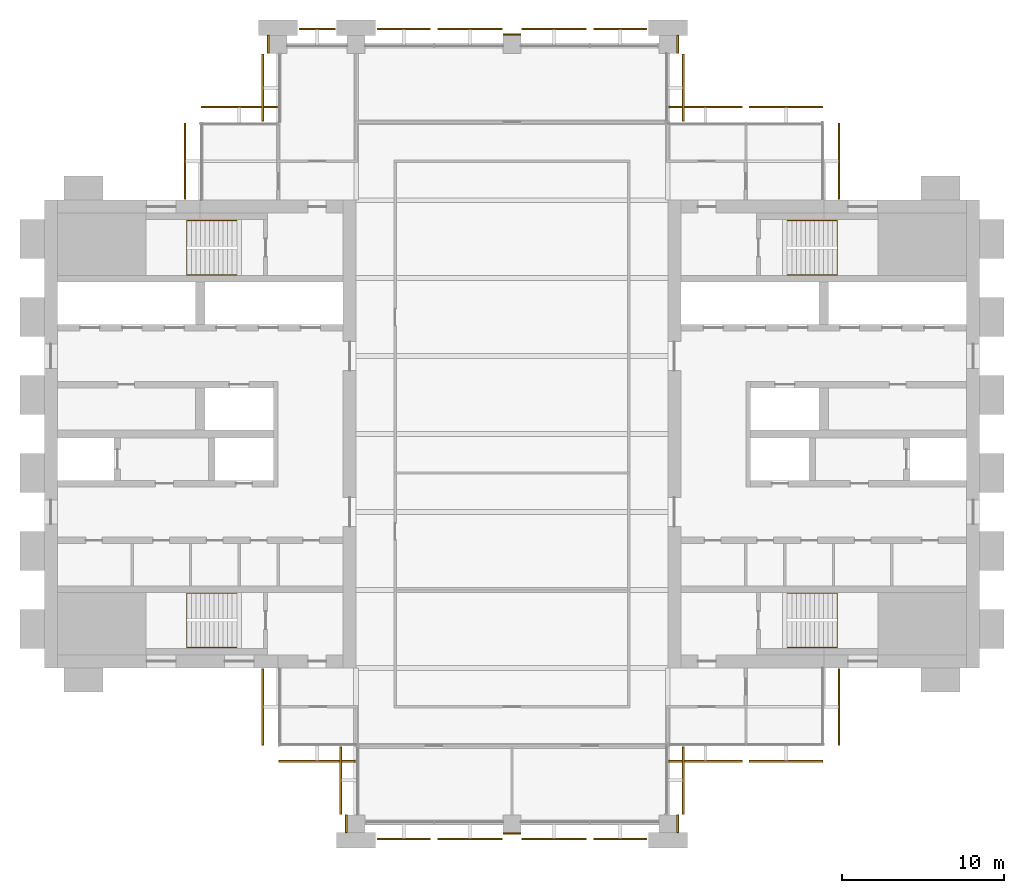
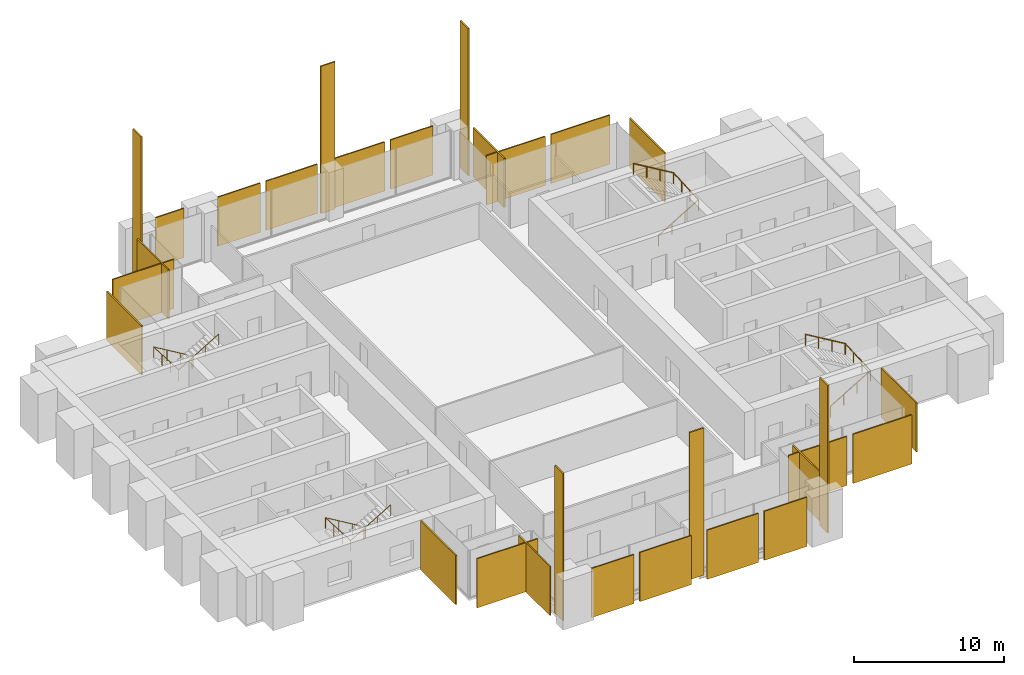
# One storey, part 13 of 13: 29 coverings, 4 railings.
"""IFC4 building model written with IfcOpenShell, lengths in metres."""

from ifc_helpers import new_model, si_unit, direction, frame, origin, origin_2d, place, context, subcontext, project, spatial, polyline, rectangle, circle, outline, extrude, material, layer, layer_set, type_object, element, save


model = new_model("IFC4")

# Units and contexts
model_context = context("Model", 3, precision=1e-05, world=origin(), true_north=direction((0.0, 1.0)))
body_context = subcontext(model_context, "Body", "Model", "MODEL_VIEW")
ifc_project = project(units=[si_unit("LENGTHUNIT", "METRE"), si_unit("AREAUNIT", "SQUARE_METRE"), si_unit("VOLUMEUNIT", "CUBIC_METRE"), si_unit("PLANEANGLEUNIT", "RADIAN"), si_unit("MASSUNIT", "GRAM", prefix="KILO")], contexts=[model_context])

# Site, building, storey
site_placement = place(None, origin())
site = spatial("IfcSite", under=ifc_project, at=site_placement, CompositionType="ELEMENT")
building_placement = place(site_placement, origin())
building = spatial("IfcBuilding", under=site, at=building_placement, Name="Baori Bourse Tower", CompositionType="ELEMENT")
storey_placement = place(building_placement, frame((0.0, 0.0, 213.199951171875)))
storey = spatial("IfcBuildingStorey", under=building, at=storey_placement, Name="L46", CompositionType="ELEMENT", Elevation=213.199951171875)

# Railings
ifc_material_1 = material(Name="Powder-coated steel balustrade", Category="steel")
railing_type = type_object("IfcRailingType", Name="Core stair handrail", PredefinedType="HANDRAIL", material=ifc_material_1)
railing_1_placement = place(storey_placement, frame((11.85009765625, 14.199951171875, 0.166748046875)))
element("IfcRailing", 1, at=railing_1_placement, inside=storey, type_object=railing_type, Name="L46 ST1 stair handrail 1", PredefinedType="HANDRAIL", context=body_context, shape_type="SweptSolid", body=[
    extrude(circle(Radius=0.02392578125, at=origin_2d()), frame((0.0, 0.0, 0.8759765625), z_axis=(-0.859308565015, 0.0, 0.511457515432), x_axis=(0.0, -1.0, 0.0)), (0.0, 0.0, 1.0), 3.58447265625),
    extrude(circle(Radius=0.02392578125, at=origin_2d()), frame((-3.080078125, 0.0, 2.708984375), z_axis=(0.0, -0.998763387249, 0.04971615724), x_axis=(1.0, 0.0, 0.0)), (0.0, 0.0, 1.0), 3.35400390625),
    extrude(circle(Radius=0.02392578125, at=origin_2d()), frame((-3.080078125, -3.349853515625, 2.8759765625), z_axis=(0.859308565015, 0.0, 0.511457515432), x_axis=(0.0, 1.0, 0.0)), (0.0, 0.0, 1.0), 3.58447265625),
    extrude(circle(Radius=0.02099609375, at=origin_2d()), origin(), (0.0, 0.0, 1.0), 0.851806640625),
    extrude(circle(Radius=0.02099609375, at=origin_2d()), frame((-1.026611328125, 0.0, 0.611083984375)), (0.0, 0.0, 1.0), 0.851806640625),
    extrude(circle(Radius=0.02099609375, at=origin_2d()), frame((-2.053466796875, 0.0, 1.22216796875)), (0.0, 0.0, 1.0), 0.851806640625),
    extrude(circle(Radius=0.02099609375, at=origin_2d()), frame((-3.080078125, 0.0, 1.833251953125)), (0.0, 0.0, 1.0), 0.851806640625),
    extrude(circle(Radius=0.02099609375, at=origin_2d()), frame((-3.080078125, -1.11669921875, 1.888916015625)), (0.0, 0.0, 1.0), 0.851806640625),
    extrude(circle(Radius=0.02099609375, at=origin_2d()), frame((-3.080078125, -2.233154296875, 1.9443359375)), (0.0, 0.0, 1.0), 0.851806640625),
    extrude(circle(Radius=0.02099609375, at=origin_2d()), frame((-3.080078125, -3.349853515625, 2.0)), (0.0, 0.0, 1.0), 0.851806640625),
    extrude(circle(Radius=0.02099609375, at=origin_2d()), frame((-2.053466796875, -3.349853515625, 2.611083984375)), (0.0, 0.0, 1.0), 0.851806640625),
    extrude(circle(Radius=0.02099609375, at=origin_2d()), frame((-1.026611328125, -3.349853515625, 3.22216796875)), (0.0, 0.0, 1.0), 0.851806640625),
    extrude(circle(Radius=0.02099609375, at=origin_2d()), frame((0.0, -3.349853515625, 3.833251953125)), (0.0, 0.0, 1.0), 0.851806640625),
])
railing_2_placement = place(storey_placement, frame((11.85009765625, 37.14990234375, 0.166748046875)))
element("IfcRailing", 2, at=railing_2_placement, inside=storey, type_object=railing_type, Name="L46 ST2 stair handrail 1", PredefinedType="HANDRAIL", context=body_context, shape_type="SweptSolid", body=[
    extrude(circle(Radius=0.02392578125, at=origin_2d()), frame((0.0, 0.0, 0.8759765625), z_axis=(-0.859308565015, 0.0, 0.511457515432), x_axis=(0.0, -1.0, 0.0)), (0.0, 0.0, 1.0), 3.58447265625),
    extrude(circle(Radius=0.02392578125, at=origin_2d()), frame((-3.080078125, 0.0, 2.708984375), z_axis=(0.0, -0.998763387249, 0.04971615724), x_axis=(1.0, 0.0, 0.0)), (0.0, 0.0, 1.0), 3.35400390625),
    extrude(circle(Radius=0.02392578125, at=origin_2d()), frame((-3.080078125, -3.349853515625, 2.8759765625), z_axis=(0.859308565015, 0.0, 0.511457515432), x_axis=(0.0, 1.0, 0.0)), (0.0, 0.0, 1.0), 3.58447265625),
    extrude(circle(Radius=0.02099609375, at=origin_2d()), origin(), (0.0, 0.0, 1.0), 0.851806640625),
    extrude(circle(Radius=0.02099609375, at=origin_2d()), frame((-1.026611328125, 0.0, 0.611083984375)), (0.0, 0.0, 1.0), 0.851806640625),
    extrude(circle(Radius=0.02099609375, at=origin_2d()), frame((-2.053466796875, 0.0, 1.22216796875)), (0.0, 0.0, 1.0), 0.851806640625),
    extrude(circle(Radius=0.02099609375, at=origin_2d()), frame((-3.080078125, 0.0, 1.833251953125)), (0.0, 0.0, 1.0), 0.851806640625),
    extrude(circle(Radius=0.02099609375, at=origin_2d()), frame((-3.080078125, -1.11669921875, 1.888916015625)), (0.0, 0.0, 1.0), 0.851806640625),
    extrude(circle(Radius=0.02099609375, at=origin_2d()), frame((-3.080078125, -2.233154296875, 1.9443359375)), (0.0, 0.0, 1.0), 0.851806640625),
    extrude(circle(Radius=0.02099609375, at=origin_2d()), frame((-3.080078125, -3.349853515625, 2.0)), (0.0, 0.0, 1.0), 0.851806640625),
    extrude(circle(Radius=0.02099609375, at=origin_2d()), frame((-2.053466796875, -3.349853515625, 2.611083984375)), (0.0, 0.0, 1.0), 0.851806640625),
    extrude(circle(Radius=0.02099609375, at=origin_2d()), frame((-1.026611328125, -3.349853515625, 3.22216796875)), (0.0, 0.0, 1.0), 0.851806640625),
    extrude(circle(Radius=0.02099609375, at=origin_2d()), frame((0.0, -3.349853515625, 3.833251953125)), (0.0, 0.0, 1.0), 0.851806640625),
])
railing_3_placement = place(storey_placement, frame((45.75, 10.85009765625, 0.166748046875)))
element("IfcRailing", 3, at=railing_3_placement, inside=storey, type_object=railing_type, Name="L46 ST3 stair handrail 1", PredefinedType="HANDRAIL", context=body_context, shape_type="SweptSolid", body=[
    extrude(circle(Radius=0.02392578125, at=origin_2d()), frame((0.0, 0.0, 0.8759765625), z_axis=(0.859308565015, 0.0, 0.511457515432), x_axis=(0.0, 1.0, 0.0)), (0.0, 0.0, 1.0), 3.58447265625),
    extrude(circle(Radius=0.02392578125, at=origin_2d()), frame((3.080078125, 0.0, 2.708984375), z_axis=(0.0, 0.998763387249, 0.04971615724), x_axis=(-1.0, 0.0, 0.0)), (0.0, 0.0, 1.0), 3.35400390625),
    extrude(circle(Radius=0.02392578125, at=origin_2d()), frame((3.080078125, 3.349853515625, 2.8759765625), z_axis=(-0.859308565015, 0.0, 0.511457515432), x_axis=(0.0, -1.0, 0.0)), (0.0, 0.0, 1.0), 3.58447265625),
    extrude(circle(Radius=0.02099609375, at=origin_2d()), origin(), (0.0, 0.0, 1.0), 0.851806640625),
    extrude(circle(Radius=0.02099609375, at=origin_2d()), frame((1.026611328125, 0.0, 0.611083984375)), (0.0, 0.0, 1.0), 0.851806640625),
    extrude(circle(Radius=0.02099609375, at=origin_2d()), frame((2.053466796875, 0.0, 1.22216796875)), (0.0, 0.0, 1.0), 0.851806640625),
    extrude(circle(Radius=0.02099609375, at=origin_2d()), frame((3.080078125, 0.0, 1.833251953125)), (0.0, 0.0, 1.0), 0.851806640625),
    extrude(circle(Radius=0.02099609375, at=origin_2d()), frame((3.080078125, 1.11669921875, 1.888916015625)), (0.0, 0.0, 1.0), 0.851806640625),
    extrude(circle(Radius=0.02099609375, at=origin_2d()), frame((3.080078125, 2.233154296875, 1.9443359375)), (0.0, 0.0, 1.0), 0.851806640625),
    extrude(circle(Radius=0.02099609375, at=origin_2d()), frame((3.080078125, 3.349853515625, 2.0)), (0.0, 0.0, 1.0), 0.851806640625),
    extrude(circle(Radius=0.02099609375, at=origin_2d()), frame((2.053466796875, 3.349853515625, 2.611083984375)), (0.0, 0.0, 1.0), 0.851806640625),
    extrude(circle(Radius=0.02099609375, at=origin_2d()), frame((1.026611328125, 3.349853515625, 3.22216796875)), (0.0, 0.0, 1.0), 0.851806640625),
    extrude(circle(Radius=0.02099609375, at=origin_2d()), frame((0.0, 3.349853515625, 3.833251953125)), (0.0, 0.0, 1.0), 0.851806640625),
])
railing_4_placement = place(storey_placement, frame((45.75, 33.800048828125, 0.166748046875)))
element("IfcRailing", 4, at=railing_4_placement, inside=storey, type_object=railing_type, Name="L46 ST4 stair handrail 1", PredefinedType="HANDRAIL", context=body_context, shape_type="SweptSolid", body=[
    extrude(circle(Radius=0.02392578125, at=origin_2d()), frame((0.0, 0.0, 0.8759765625), z_axis=(0.859308565015, 0.0, 0.511457515432), x_axis=(0.0, 1.0, 0.0)), (0.0, 0.0, 1.0), 3.58447265625),
    extrude(circle(Radius=0.02392578125, at=origin_2d()), frame((3.080078125, 0.0, 2.708984375), z_axis=(0.0, 0.998763387249, 0.04971615724), x_axis=(-1.0, 0.0, 0.0)), (0.0, 0.0, 1.0), 3.35400390625),
    extrude(circle(Radius=0.02392578125, at=origin_2d()), frame((3.080078125, 3.349853515625, 2.8759765625), z_axis=(-0.859308565015, 0.0, 0.511457515432), x_axis=(0.0, -1.0, 0.0)), (0.0, 0.0, 1.0), 3.58447265625),
    extrude(circle(Radius=0.02099609375, at=origin_2d()), origin(), (0.0, 0.0, 1.0), 0.851806640625),
    extrude(circle(Radius=0.02099609375, at=origin_2d()), frame((1.026611328125, 0.0, 0.611083984375)), (0.0, 0.0, 1.0), 0.851806640625),
    extrude(circle(Radius=0.02099609375, at=origin_2d()), frame((2.053466796875, 0.0, 1.22216796875)), (0.0, 0.0, 1.0), 0.851806640625),
    extrude(circle(Radius=0.02099609375, at=origin_2d()), frame((3.080078125, 0.0, 1.833251953125)), (0.0, 0.0, 1.0), 0.851806640625),
    extrude(circle(Radius=0.02099609375, at=origin_2d()), frame((3.080078125, 1.11669921875, 1.888916015625)), (0.0, 0.0, 1.0), 0.851806640625),
    extrude(circle(Radius=0.02099609375, at=origin_2d()), frame((3.080078125, 2.233154296875, 1.9443359375)), (0.0, 0.0, 1.0), 0.851806640625),
    extrude(circle(Radius=0.02099609375, at=origin_2d()), frame((3.080078125, 3.349853515625, 2.0)), (0.0, 0.0, 1.0), 0.851806640625),
    extrude(circle(Radius=0.02099609375, at=origin_2d()), frame((2.053466796875, 3.349853515625, 2.611083984375)), (0.0, 0.0, 1.0), 0.851806640625),
    extrude(circle(Radius=0.02099609375, at=origin_2d()), frame((1.026611328125, 3.349853515625, 3.22216796875)), (0.0, 0.0, 1.0), 0.851806640625),
    extrude(circle(Radius=0.02099609375, at=origin_2d()), frame((0.0, 3.349853515625, 3.833251953125)), (0.0, 0.0, 1.0), 0.851806640625),
])

# Coverings
ifc_material_2 = material(Name="Pale anodised aluminium", Category="aluminium")
ifc_layer_1 = layer(ifc_material_2, 0.10009765625)
ifc_layer_set_1 = layer_set([ifc_layer_1], Name="OS3 Outer skin screen panel")
covering_type_1 = type_object("IfcCoveringType", Name="OS3 Outer skin screen panel", PredefinedType="CLADDING", material=ifc_layer_set_1)
covering_1_placement = place(storey_placement, frame((0.0, 0.0, -0.159912109375)))
element("IfcCovering", 5, at=covering_1_placement, inside=storey, type_object=covering_type_1, Name="Outer skin screen L46 1", PredefinedType="CLADDING", context=body_context, shape_type="SweptSolid", body=[
    extrude(outline(polyline([(48.89990234375, 43.14990234375), (48.89990234375, 38.449951171875), (49.0, 38.449951171875), (49.0, 43.14990234375), (48.89990234375, 43.14990234375)])), origin(), (0.0, 0.0, 1.0), 4.0),
])
covering_2_placement = place(storey_placement, frame((0.0, 0.0, -0.159912109375)))
element("IfcCovering", 6, at=covering_2_placement, inside=storey, type_object=covering_type_1, Name="Outer skin screen L46 2", PredefinedType="CLADDING", context=body_context, shape_type="SweptSolid", body=[
    extrude(outline(polyline([(43.425048828125, 44.10009765625), (47.949951171875, 44.10009765625), (47.949951171875, 44.199951171875), (43.425048828125, 44.199951171875), (43.425048828125, 44.10009765625)])), origin(), (0.0, 0.0, 1.0), 4.0),
])
covering_3_placement = place(storey_placement, frame((0.0, 0.0, -0.159912109375)))
element("IfcCovering", 7, at=covering_3_placement, inside=storey, type_object=covering_type_1, Name="Outer skin screen L46 3", PredefinedType="CLADDING", context=body_context, shape_type="SweptSolid", body=[
    extrude(outline(polyline([(38.449951171875, 44.10009765625), (42.97509765625, 44.10009765625), (42.97509765625, 44.199951171875), (38.449951171875, 44.199951171875), (38.449951171875, 44.10009765625)])), origin(), (0.0, 0.0, 1.0), 4.0),
])
covering_4_placement = place(storey_placement, frame((0.0, 0.0, -0.159912109375)))
element("IfcCovering", 8, at=covering_4_placement, inside=storey, type_object=covering_type_1, Name="Outer skin screen L46 4", PredefinedType="CLADDING", context=body_context, shape_type="SweptSolid", body=[
    extrude(outline(polyline([(39.300048828125, 47.39990234375), (39.300048828125, 43.25), (39.39990234375, 43.25), (39.39990234375, 47.39990234375), (39.300048828125, 47.39990234375)])), origin(), (0.0, 0.0, 1.0), 4.0),
])
covering_5_placement = place(storey_placement, frame((0.0, 0.0, -0.159912109375)))
element("IfcCovering", 9, at=covering_5_placement, inside=storey, type_object=covering_type_1, Name="Outer skin screen L46 5", PredefinedType="CLADDING", context=body_context, shape_type="SweptSolid", body=[
    extrude(outline(polyline([(33.824951171875, 48.89990234375), (37.10009765625, 48.89990234375), (37.10009765625, 49.0), (33.824951171875, 49.0), (33.824951171875, 48.89990234375)])), origin(), (0.0, 0.0, 1.0), 4.0),
])
covering_6_placement = place(storey_placement, frame((0.0, 0.0, -0.159912109375)))
element("IfcCovering", 10, at=covering_6_placement, inside=storey, type_object=covering_type_1, Name="Outer skin screen L46 6", PredefinedType="CLADDING", context=body_context, shape_type="SweptSolid", body=[
    extrude(outline(polyline([(29.39990234375, 48.89990234375), (33.375, 48.89990234375), (33.375, 49.0), (29.39990234375, 49.0), (29.39990234375, 48.89990234375)])), origin(), (0.0, 0.0, 1.0), 4.0),
])
covering_7_placement = place(storey_placement, frame((0.0, 0.0, -0.159912109375)))
element("IfcCovering", 11, at=covering_7_placement, inside=storey, type_object=covering_type_1, Name="Outer skin screen L46 7", PredefinedType="CLADDING", context=body_context, shape_type="SweptSolid", body=[
    extrude(outline(polyline([(24.22509765625, 48.89990234375), (28.199951171875, 48.89990234375), (28.199951171875, 49.0), (24.22509765625, 49.0), (24.22509765625, 48.89990234375)])), origin(), (0.0, 0.0, 1.0), 4.0),
])
covering_8_placement = place(storey_placement, frame((0.0, 0.0, -0.159912109375)))
element("IfcCovering", 12, at=covering_8_placement, inside=storey, type_object=covering_type_1, Name="Outer skin screen L46 8", PredefinedType="CLADDING", context=body_context, shape_type="SweptSolid", body=[
    extrude(outline(polyline([(20.5, 48.89990234375), (23.77490234375, 48.89990234375), (23.77490234375, 49.0), (20.5, 49.0), (20.5, 48.89990234375)])), origin(), (0.0, 0.0, 1.0), 4.0),
])
covering_9_placement = place(storey_placement, frame((0.0, 0.0, -0.159912109375)))
element("IfcCovering", 13, at=covering_9_placement, inside=storey, type_object=covering_type_1, Name="Outer skin screen L46 9", PredefinedType="CLADDING", context=body_context, shape_type="SweptSolid", body=[
    extrude(outline(polyline([(15.699951171875, 48.89990234375), (17.89990234375, 48.89990234375), (17.89990234375, 49.0), (15.699951171875, 49.0), (15.699951171875, 48.89990234375)])), origin(), (0.0, 0.0, 1.0), 4.0),
])
covering_10_placement = place(storey_placement, frame((0.0, 0.0, -0.159912109375)))
element("IfcCovering", 14, at=covering_10_placement, inside=storey, type_object=covering_type_1, Name="Outer skin screen L46 10", PredefinedType="CLADDING", context=body_context, shape_type="SweptSolid", body=[
    extrude(outline(polyline([(13.5, 43.25), (13.5, 47.39990234375), (13.39990234375, 47.39990234375), (13.39990234375, 43.25), (13.5, 43.25)])), origin(), (0.0, 0.0, 1.0), 4.0),
])
covering_11_placement = place(storey_placement, frame((0.0, 0.0, -0.159912109375)))
element("IfcCovering", 15, at=covering_11_placement, inside=storey, type_object=covering_type_1, Name="Outer skin screen L46 11", PredefinedType="CLADDING", context=body_context, shape_type="SweptSolid", body=[
    extrude(outline(polyline([(9.64990234375, 44.10009765625), (14.35009765625, 44.10009765625), (14.35009765625, 44.199951171875), (9.64990234375, 44.199951171875), (9.64990234375, 44.10009765625)])), origin(), (0.0, 0.0, 1.0), 4.0),
])
covering_12_placement = place(storey_placement, frame((0.0, 0.0, -0.159912109375)))
element("IfcCovering", 16, at=covering_12_placement, inside=storey, type_object=covering_type_1, Name="Outer skin screen L46 12", PredefinedType="CLADDING", context=body_context, shape_type="SweptSolid", body=[
    extrude(outline(polyline([(8.699951171875, 38.449951171875), (8.699951171875, 43.14990234375), (8.60009765625, 43.14990234375), (8.60009765625, 38.449951171875), (8.699951171875, 38.449951171875)])), origin(), (0.0, 0.0, 1.0), 4.0),
])
covering_13_placement = place(storey_placement, frame((0.0, 0.0, -0.159912109375)))
element("IfcCovering", 17, at=covering_13_placement, inside=storey, type_object=covering_type_1, Name="Outer skin screen L46 13", PredefinedType="CLADDING", context=body_context, shape_type="SweptSolid", body=[
    extrude(outline(polyline([(13.5, 4.85009765625), (13.5, 9.550048828125), (13.39990234375, 9.550048828125), (13.39990234375, 4.85009765625), (13.5, 4.85009765625)])), origin(), (0.0, 0.0, 1.0), 4.0),
])
covering_14_placement = place(storey_placement, frame((0.0, 0.0, -0.159912109375)))
element("IfcCovering", 18, at=covering_14_placement, inside=storey, type_object=covering_type_1, Name="Outer skin screen L46 14", PredefinedType="CLADDING", context=body_context, shape_type="SweptSolid", body=[
    extrude(outline(polyline([(19.14990234375, 3.89990234375), (14.449951171875, 3.89990234375), (14.449951171875, 3.800048828125), (19.14990234375, 3.800048828125), (19.14990234375, 3.89990234375)])), origin(), (0.0, 0.0, 1.0), 4.0),
])
covering_15_placement = place(storey_placement, frame((0.0, 0.0, -0.159912109375)))
element("IfcCovering", 19, at=covering_15_placement, inside=storey, type_object=covering_type_1, Name="Outer skin screen L46 15", PredefinedType="CLADDING", context=body_context, shape_type="SweptSolid", body=[
    extrude(outline(polyline([(18.300048828125, 0.60009765625), (18.300048828125, 4.75), (18.199951171875, 4.75), (18.199951171875, 0.60009765625), (18.300048828125, 0.60009765625)])), origin(), (0.0, 0.0, 1.0), 4.0),
])
covering_16_placement = place(storey_placement, frame((0.0, 0.0, -0.159912109375)))
element("IfcCovering", 20, at=covering_16_placement, inside=storey, type_object=covering_type_1, Name="Outer skin screen L46 16", PredefinedType="CLADDING", context=body_context, shape_type="SweptSolid", body=[
    extrude(outline(polyline([(23.77490234375, -0.89990234375), (20.5, -0.89990234375), (20.5, -1.0), (23.77490234375, -1.0), (23.77490234375, -0.89990234375)])), origin(), (0.0, 0.0, 1.0), 4.0),
])
covering_17_placement = place(storey_placement, frame((0.0, 0.0, -0.159912109375)))
element("IfcCovering", 21, at=covering_17_placement, inside=storey, type_object=covering_type_1, Name="Outer skin screen L46 17", PredefinedType="CLADDING", context=body_context, shape_type="SweptSolid", body=[
    extrude(outline(polyline([(28.199951171875, -0.89990234375), (24.22509765625, -0.89990234375), (24.22509765625, -1.0), (28.199951171875, -1.0), (28.199951171875, -0.89990234375)])), origin(), (0.0, 0.0, 1.0), 4.0),
])
covering_18_placement = place(storey_placement, frame((0.0, 0.0, -0.159912109375)))
element("IfcCovering", 22, at=covering_18_placement, inside=storey, type_object=covering_type_1, Name="Outer skin screen L46 18", PredefinedType="CLADDING", context=body_context, shape_type="SweptSolid", body=[
    extrude(outline(polyline([(33.375, -0.89990234375), (29.39990234375, -0.89990234375), (29.39990234375, -1.0), (33.375, -1.0), (33.375, -0.89990234375)])), origin(), (0.0, 0.0, 1.0), 4.0),
])
covering_19_placement = place(storey_placement, frame((0.0, 0.0, -0.159912109375)))
element("IfcCovering", 23, at=covering_19_placement, inside=storey, type_object=covering_type_1, Name="Outer skin screen L46 19", PredefinedType="CLADDING", context=body_context, shape_type="SweptSolid", body=[
    extrude(outline(polyline([(37.10009765625, -0.89990234375), (33.824951171875, -0.89990234375), (33.824951171875, -1.0), (37.10009765625, -1.0), (37.10009765625, -0.89990234375)])), origin(), (0.0, 0.0, 1.0), 4.0),
])
covering_20_placement = place(storey_placement, frame((0.0, 0.0, -0.159912109375)))
element("IfcCovering", 24, at=covering_20_placement, inside=storey, type_object=covering_type_1, Name="Outer skin screen L46 20", PredefinedType="CLADDING", context=body_context, shape_type="SweptSolid", body=[
    extrude(outline(polyline([(39.300048828125, 4.75), (39.300048828125, 0.60009765625), (39.39990234375, 0.60009765625), (39.39990234375, 4.75), (39.300048828125, 4.75)])), origin(), (0.0, 0.0, 1.0), 4.0),
])
covering_21_placement = place(storey_placement, frame((0.0, 0.0, -0.159912109375)))
element("IfcCovering", 25, at=covering_21_placement, inside=storey, type_object=covering_type_1, Name="Outer skin screen L46 21", PredefinedType="CLADDING", context=body_context, shape_type="SweptSolid", body=[
    extrude(outline(polyline([(42.97509765625, 3.89990234375), (38.449951171875, 3.89990234375), (38.449951171875, 3.800048828125), (42.97509765625, 3.800048828125), (42.97509765625, 3.89990234375)])), origin(), (0.0, 0.0, 1.0), 4.0),
])
covering_22_placement = place(storey_placement, frame((0.0, 0.0, -0.159912109375)))
element("IfcCovering", 26, at=covering_22_placement, inside=storey, type_object=covering_type_1, Name="Outer skin screen L46 22", PredefinedType="CLADDING", context=body_context, shape_type="SweptSolid", body=[
    extrude(outline(polyline([(47.949951171875, 3.89990234375), (43.425048828125, 3.89990234375), (43.425048828125, 3.800048828125), (47.949951171875, 3.800048828125), (47.949951171875, 3.89990234375)])), origin(), (0.0, 0.0, 1.0), 4.0),
])
covering_23_placement = place(storey_placement, frame((0.0, 0.0, -0.159912109375)))
element("IfcCovering", 27, at=covering_23_placement, inside=storey, type_object=covering_type_1, Name="Outer skin screen L46 23", PredefinedType="CLADDING", context=body_context, shape_type="SweptSolid", body=[
    extrude(outline(polyline([(48.89990234375, 9.550048828125), (48.89990234375, 4.85009765625), (49.0, 4.85009765625), (49.0, 9.550048828125), (48.89990234375, 9.550048828125)])), origin(), (0.0, 0.0, 1.0), 4.0),
])
ifc_material_3 = material(Name="Face brick", Category="masonry")
ifc_layer_2 = layer(ifc_material_3, 0.110107421875)
ifc_layer_set_2 = layer_set([ifc_layer_2], Name="PC1 Brick pier facing")
covering_type_2 = type_object("IfcCoveringType", Name="PC1 Brick pier facing", PredefinedType="CLADDING", material=ifc_layer_set_2)
covering_24_placement = place(storey_placement, frame((18.594970703125, 0.0, 0.0), z_axis=(0.0, 0.0, 1.0), x_axis=(1.0, 0.0, 0.0)))
element("IfcCovering", 28, at=covering_24_placement, inside=storey, type_object=covering_type_2, Name="Brick pier facing L46 1", PredefinedType="CLADDING", context=body_context, shape_type="SweptSolid", body=[
    extrude(rectangle(XDim=0.110107421875, YDim=1.10009765625, at=origin_2d()), origin(), (0.0, 0.0, 1.0), 12.0),
])
covering_25_placement = place(storey_placement, frame((28.800048828125, -0.60498046875, 0.0), z_axis=(0.0, 0.0, 1.0), x_axis=(1.0, 0.0, 0.0)))
element("IfcCovering", 29, at=covering_25_placement, inside=storey, type_object=covering_type_2, Name="Brick pier facing L46 2", PredefinedType="CLADDING", context=body_context, shape_type="SweptSolid", body=[
    extrude(rectangle(XDim=1.10009765625, YDim=0.110107421875, at=origin_2d()), origin(), (0.0, 0.0, 1.0), 12.0),
])
for number, where, z_axis, x_axis, name in (
    (30, (39.0048828125, 0.0, 0.0), (0.0, 0.0, 1.0), (1.0, 0.0, 0.0), "Brick pier facing L46 3"),
    (31, (13.794921875, 48.0, 0.0), (0.0, 0.0, 1.0), (1.0, 0.0, 0.0), "Brick pier facing L46 4"),
):
    element("IfcCovering", number, at=place(storey_placement, frame(where, z_axis=z_axis, x_axis=x_axis)), inside=storey, type_object=covering_type_2, Name=name, PredefinedType="CLADDING", context=body_context, shape_type="SweptSolid", body=[
        extrude(rectangle(XDim=0.110107421875, YDim=1.10009765625, at=origin_2d()), origin(), (0.0, 0.0, 1.0), 12.0),
    ])
covering_26_placement = place(storey_placement, frame((28.800048828125, 48.60498046875, 0.0), z_axis=(0.0, 0.0, 1.0), x_axis=(1.0, 0.0, 0.0)))
element("IfcCovering", 32, at=covering_26_placement, inside=storey, type_object=covering_type_2, Name="Brick pier facing L46 5", PredefinedType="CLADDING", context=body_context, shape_type="SweptSolid", body=[
    extrude(rectangle(XDim=1.10009765625, YDim=0.110107421875, at=origin_2d()), origin(), (0.0, 0.0, 1.0), 12.0),
])
covering_27_placement = place(storey_placement, frame((39.0048828125, 48.0, 0.0), z_axis=(0.0, 0.0, 1.0), x_axis=(1.0, 0.0, 0.0)))
element("IfcCovering", 33, at=covering_27_placement, inside=storey, type_object=covering_type_2, Name="Brick pier facing L46 6", PredefinedType="CLADDING", context=body_context, shape_type="SweptSolid", body=[
    extrude(rectangle(XDim=0.110107421875, YDim=1.10009765625, at=origin_2d()), origin(), (0.0, 0.0, 1.0), 12.0),
])

save(model, "model.ifc")
